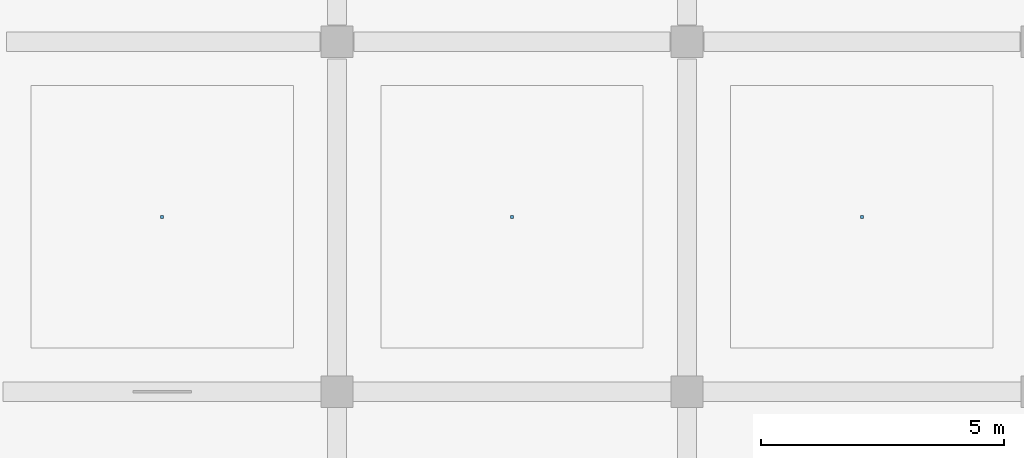
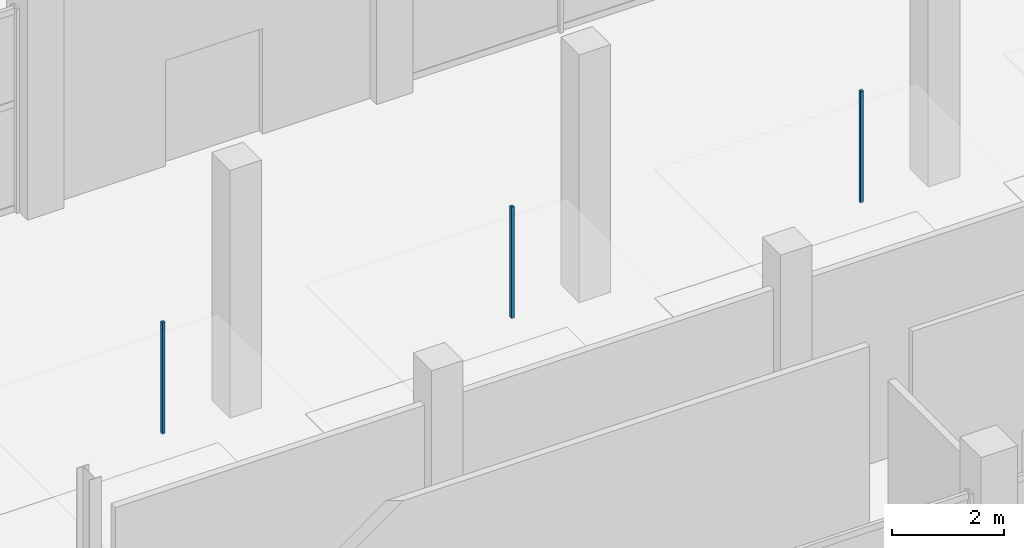
# One storey, part 77 of 90: 3 discrete accessories.
"""IFC4 building model written with IfcOpenShell, lengths in metres."""

from ifc_helpers import new_model, si_unit, direction, frame, origin, origin_2d, place, context, subcontext, project, spatial, rectangle, extrude, material, type_object, element, save


model = new_model("IFC4")

# Units and contexts
model_context = context("Model", 3, precision=1e-05, world=origin(), true_north=direction((0.0, 1.0)))
body_context = subcontext(model_context, "Body", "Model", "MODEL_VIEW")
ifc_project = project(units=[si_unit("LENGTHUNIT", "METRE"), si_unit("AREAUNIT", "SQUARE_METRE"), si_unit("VOLUMEUNIT", "CUBIC_METRE"), si_unit("PLANEANGLEUNIT", "RADIAN"), si_unit("MASSUNIT", "GRAM", prefix="KILO")], contexts=[model_context])

# Site, building, storey
site_placement = place(None, origin())
site = spatial("IfcSite", under=ifc_project, at=site_placement, CompositionType="ELEMENT")
building_placement = place(site_placement, origin())
building = spatial("IfcBuilding", under=site, at=building_placement, Name="Kangsadwip Square Police Headquarters", CompositionType="ELEMENT")
storey_placement = place(building_placement, origin())
storey = spatial("IfcBuildingStorey", under=building, at=storey_placement, Name="L00", CompositionType="ELEMENT", Elevation=0.0)

# Discrete accessories
ifc_material = material(Name="Structural steel IS 2062 E350 (Grade 350, 350 MPa)", Category="steel")
discrete_accessory_type = type_object("IfcDiscreteAccessoryType", Name="VeilOutriggerBracket", PredefinedType="BRACKET", material=ifc_material)
for number, where, z_axis, x_axis, name in (
    (1, (97.199951171875, 104.39990234375, 2.81005859375), (0.0, 0.0, 1.0), (1.0, 0.0, 0.0), "Ceiling Suspension Hanger L00-005"),
    (2, (104.39990234375, 104.39990234375, 2.81005859375), (0.0, 0.0, 1.0), (1.0, 0.0, 0.0), "Ceiling Suspension Hanger L00-006"),
    (3, (111.60009765625, 104.39990234375, 2.81005859375), (0.0, 0.0, 1.0), (1.0, 0.0, 0.0), "Ceiling Suspension Hanger L00-007"),
):
    element("IfcDiscreteAccessory", number, at=place(storey_placement, frame(where, z_axis=z_axis, x_axis=x_axis)), inside=storey, type_object=discrete_accessory_type, Name=name, PredefinedType="BRACKET", context=body_context, shape_type="SweptSolid", body=[
        extrude(rectangle(XDim=0.06005859375, YDim=0.06005859375, at=origin_2d()), origin(), (0.0, 0.0, 1.0), 2.429931640625),
    ])

save(model, "model.ifc")
